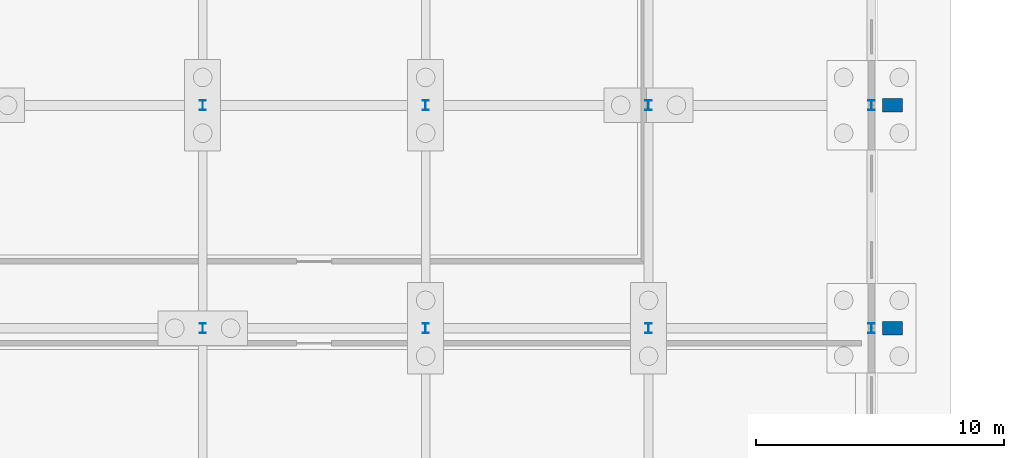
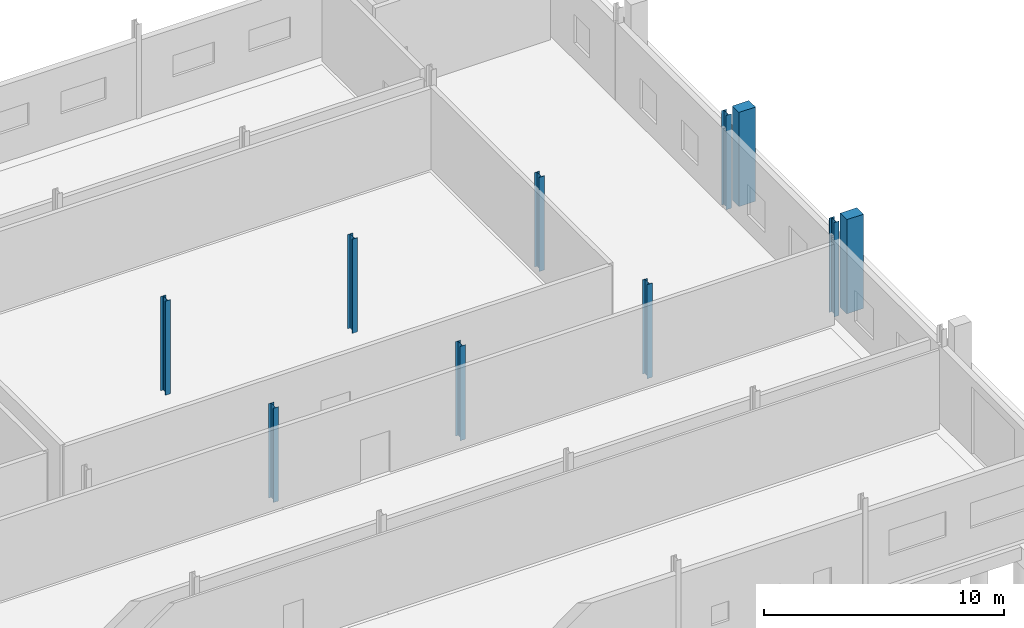
# One storey, part 44 of 112: 10 columns.
"""IFC4 building model written with IfcOpenShell, lengths in metres."""

import ifcopenshell
import ifcopenshell.guid

model = None  # the IFC model being written
_history = None  # IfcOwnerHistory: only IFC2X3 demands one
_inside = {}  # id of a spatial element -> (the spatial element, [elements in it])
_under = {}  # id of a project, library or spatial element -> (it, [spatial elements below it])
_declared = {}  # id of a project -> (the project, [libraries it declares])
_typed = {}  # id of a type object -> (the type object, [elements of that type])
_made_of = {}  # id of a material, layer set ... -> (it, [elements and type objects made of it])


def new_model(schema):
    """Start an empty IFC model of exactly this schema.

    Asked for "IFC4X3", IfcOpenShell would pick the latest addendum, in which some entities
    have other attributes; the version numbers below select the first issue.
    IFC2X3 requires an IfcOwnerHistory on every rooted entity: one is made here for all.
    """
    global model, _history
    if schema == "IFC4X3":
        model = ifcopenshell.file(schema_version=(4, 3, 0, 0))
    else:
        model = ifcopenshell.file(schema=schema)
    _inside.clear()
    _under.clear()
    _declared.clear()
    _typed.clear()
    _made_of.clear()
    _history = None
    if model.schema == "IFC2X3":
        org = make("IfcOrganization", Name="unknown")
        user = make(
            "IfcPersonAndOrganization",
            ThePerson=make("IfcPerson", FamilyName="unknown"),
            TheOrganization=org,
        )
        app = make(
            "IfcApplication",
            ApplicationDeveloper=org,
            Version="unknown",
            ApplicationFullName="unknown",
            ApplicationIdentifier="unknown",
        )
        _history = make(
            "IfcOwnerHistory",
            OwningUser=user,
            OwningApplication=app,
            ChangeAction="ADDED",
            CreationDate=0,
        )
    return model


def make(cls, **values):
    """One entity of the class cls with the attributes given. An attribute that is None is left unset."""
    return model.create_entity(
        cls, **{name: value for name, value in values.items() if value is not None}
    )


def rooted(cls, **values):
    """An entity with a GlobalId (a new one), such as an element, a storey or a relation."""
    return make(cls, GlobalId=ifcopenshell.guid.new(), OwnerHistory=_history, **values)


def si_unit(unit_type, name, prefix=None):
    """IfcSIUnit, for example si_unit("LENGTHUNIT", "METRE", prefix="MILLI")."""
    return make("IfcSIUnit", UnitType=unit_type, Prefix=prefix, Name=name)


def assignment(units):
    """IfcUnitAssignment: the units of a project."""
    return None if units is None else make("IfcUnitAssignment", Units=units)


def point(xyz):
    """IfcCartesianPoint."""
    return None if xyz is None else make("IfcCartesianPoint", Coordinates=xyz)


def direction(xyz):
    """IfcDirection."""
    return None if xyz is None else make("IfcDirection", DirectionRatios=xyz)


def frame(location, z_axis=None, x_axis=None):
    """IfcAxis2Placement3D, a coordinate frame: its origin and axes. An axis left out is left unset."""
    return make(
        "IfcAxis2Placement3D",
        Location=point(location),
        Axis=direction(z_axis),
        RefDirection=direction(x_axis),
    )


def frame_2d(location, x_axis=None):
    """IfcAxis2Placement2D, a coordinate frame in the plane: its origin and x axis."""
    return make(
        "IfcAxis2Placement2D", Location=point(location), RefDirection=direction(x_axis)
    )


def origin():
    """The frame at (0, 0, 0) with its axes left unset."""
    return frame((0.0, 0.0, 0.0))


def origin_2d():
    """The frame at (0, 0) in the plane with its x axis left unset."""
    return frame_2d((0.0, 0.0))


def place(relative_to, where):
    """IfcLocalPlacement: puts the frame where relative to a parent placement (None: the world)."""
    return make(
        "IfcLocalPlacement", PlacementRelTo=relative_to, RelativePlacement=where
    )


def context(
    kind, dimensions, precision=None, world=None, true_north=None, identifier=None
):
    """IfcGeometricRepresentationContext, for example the 3D "Model" context."""
    return make(
        "IfcGeometricRepresentationContext",
        ContextIdentifier=identifier,
        ContextType=kind,
        CoordinateSpaceDimension=dimensions,
        Precision=precision,
        WorldCoordinateSystem=world,
        TrueNorth=true_north,
    )


def subcontext(parent, identifier, kind, view, scale=None):
    """IfcGeometricRepresentationSubContext, for example "Body" below "Model"."""
    return make(
        "IfcGeometricRepresentationSubContext",
        ContextIdentifier=identifier,
        ContextType=kind,
        ParentContext=parent,
        TargetScale=scale,
        TargetView=view,
    )


def project(units=None, contexts=None):
    """IfcProject with its units and contexts."""
    return rooted(
        "IfcProject",
        Name="project",
        RepresentationContexts=contexts,
        UnitsInContext=assignment(units),
    )


def spatial(cls, under=None, at=None, **own):
    """A site, building, storey or space (cls), placed at a placement, below another one or the project."""
    s = rooted(cls, ObjectPlacement=at, **own)
    if under is not None:
        _under.setdefault(under.id(), (under, []))[1].append(s)
    return s


def profile(cls, at=None, kind="AREA", **sizes):
    """A parametric profile (cls). Its sizes go by their IFC names, for example OverallWidth=200.0."""
    return make(cls, ProfileType=kind, Position=at, **sizes)


def rectangle(**sizes):
    """IfcRectangleProfileDef."""
    return profile("IfcRectangleProfileDef", **sizes)


def i_section(**sizes):
    """IfcIShapeProfileDef."""
    return profile("IfcIShapeProfileDef", **sizes)


def extrude(swept, where, along, depth):
    """IfcExtrudedAreaSolid: the profile swept, set in the frame where, extruded along a direction by depth."""
    return make(
        "IfcExtrudedAreaSolid",
        SweptArea=swept,
        Position=where,
        ExtrudedDirection=direction(along),
        Depth=depth,
    )


def shape(context_of_items, identifier, shape_type, items):
    """IfcShapeRepresentation: the items that make up one representation, for example the "Body"."""
    return make(
        "IfcShapeRepresentation",
        ContextOfItems=context_of_items,
        RepresentationIdentifier=identifier,
        RepresentationType=shape_type,
        Items=items,
    )


def material(Name=None, Category=None):
    """IfcMaterial."""
    return make("IfcMaterial", Name=Name, Category=Category)


def material_profile(
    of_material, cross_section, Name=None, Category=None, Priority=None
):
    """IfcMaterialProfile: a cross section and its material."""
    return make(
        "IfcMaterialProfile",
        Name=Name,
        Material=of_material,
        Profile=cross_section,
        Priority=Priority,
        Category=Category,
    )


def profile_set(profiles, Name=None, composite=None):
    """IfcMaterialProfileSet."""
    return make(
        "IfcMaterialProfileSet",
        Name=Name,
        MaterialProfiles=profiles,
        CompositeProfile=composite,
    )


def made_of(thing, what):
    """Note that an element or type object is made of a material, layer set ...; save() writes the relation."""
    if what is not None:
        _made_of.setdefault(what.id(), (what, []))[1].append(thing)
    return thing


def type_object(cls, material=None, **own):
    """A type object (cls), such as IfcWallType, which elements share."""
    return made_of(rooted(cls, **own), material)


def element(
    cls,
    number,
    at=None,
    inside=None,
    cuts=None,
    type_object=None,
    material=None,
    context=None,
    identifier="Body",
    shape_type=None,
    held_by="IfcProductDefinitionShape",
    body=None,
    shapes=None,
    **own,
):
    """One element of the class cls, such as IfcWall. Its Tag is "e" and its number.

    at: its placement. inside: the storey or other place that contains it. cuts: it is an
    opening in that element (IfcRelVoidsElement). A single representation is given by context,
    identifier, shape_type and body (its items); several are given by shapes. held_by: the class
    of the entity that holds the representations. save() writes the other relations.
    """
    e = rooted(cls, Tag="e%d" % number, ObjectPlacement=at, **own)
    if body is not None:
        shapes = [shape(context, identifier, shape_type, body)]
    if shapes is not None:
        e.Representation = make(held_by, Representations=shapes)
    if inside is not None:
        _inside.setdefault(inside.id(), (inside, []))[1].append(e)
    if cuts is not None:
        rooted(
            "IfcRelVoidsElement", RelatingBuildingElement=cuts, RelatedOpeningElement=e
        )
    if type_object is not None:
        _typed.setdefault(type_object.id(), (type_object, []))[1].append(e)
    return made_of(e, material)


def aggregate(whole, parts):
    """IfcRelAggregates: a whole, such as a stair, and the parts it consists of."""
    return rooted("IfcRelAggregates", RelatingObject=whole, RelatedObjects=parts)


def save(model, path):
    """Write the relations noted so far, then the file.

    IfcRelAggregates (storeys below a building ...), IfcRelContainedInSpatialStructure (elements
    in a storey), IfcRelDefinesByType, IfcRelAssociatesMaterial and IfcRelDeclares: one each for
    every whole, place, type object, material and project.
    """
    for whole, parts in _under.values():
        aggregate(whole, parts)
    for where, things in _inside.values():
        rooted(
            "IfcRelContainedInSpatialStructure",
            RelatedElements=things,
            RelatingStructure=where,
        )
    for kind, things in _typed.values():
        rooted("IfcRelDefinesByType", RelatedObjects=things, RelatingType=kind)
    for what, things in _made_of.values():
        rooted("IfcRelAssociatesMaterial", RelatedObjects=things, RelatingMaterial=what)
    for by, libraries in _declared.values():
        rooted("IfcRelDeclares", RelatingContext=by, RelatedDefinitions=libraries)
    model.write(path)


model = new_model("IFC4")

# Units and contexts
model_context = context("Model", 3, precision=1e-05, world=origin(), true_north=direction((0.0, 1.0)))
body_context = subcontext(model_context, "Body", "Model", "MODEL_VIEW")
ifc_project = project(units=[si_unit("LENGTHUNIT", "METRE"), si_unit("AREAUNIT", "SQUARE_METRE"), si_unit("VOLUMEUNIT", "CUBIC_METRE"), si_unit("PLANEANGLEUNIT", "RADIAN"), si_unit("MASSUNIT", "GRAM", prefix="KILO")], contexts=[model_context])

# Site, building, storey
site_placement = place(None, origin())
site = spatial("IfcSite", under=ifc_project, at=site_placement, CompositionType="ELEMENT")
building_placement = place(site_placement, origin())
building = spatial("IfcBuilding", under=site, at=building_placement, Name="Tharagai Park Tramway Depot", CompositionType="ELEMENT")
storey_placement = place(building_placement, origin())
storey = spatial("IfcBuildingStorey", under=building, at=storey_placement, Name="L00", CompositionType="ELEMENT", Elevation=0.0)

# Columns
ifc_material_1 = material(Name="Steel E350", Category="steel")
ifc_material_profile_1 = material_profile(ifc_material_1, i_section(OverallWidth=0.25, OverallDepth=0.39990234375, WebThickness=0.010498046875, FlangeThickness=0.0126953125, FilletRadius=0.013916015625, at=origin_2d()), Name="ISHB 400")
ifc_profile_set_1 = profile_set([ifc_material_profile_1], Name="Steel E350")
column_type_1 = type_object("IfcColumnType", Name="CL-06", PredefinedType="COLUMN", material=ifc_profile_set_1)
for number, where, z_axis, x_axis, name in (
    (1, (189.0, 108.0, 0.0), (0.0, 0.0, 1.0), (1.0, 0.0, 0.0), "L00 Structural Column CL-06 (189,108)"),
    (2, (189.0, 117.0, 0.0), (0.0, 0.0, 1.0), (1.0, 0.0, 0.0), "L00 Structural Column CL-06 (189,117)"),
    (3, (198.0, 108.0, 0.0), (0.0, 0.0, 1.0), (1.0, 0.0, 0.0), "L00 Structural Column CL-06 (198,108)"),
    (4, (198.0, 117.0, 0.0), (0.0, 0.0, 1.0), (1.0, 0.0, 0.0), "L00 Structural Column CL-06 (198,117)"),
    (5, (207.0, 108.0, 0.0), (0.0, 0.0, 1.0), (1.0, 0.0, 0.0), "L00 Structural Column CL-06 (207,108)"),
    (6, (207.0, 117.0, 0.0), (0.0, 0.0, 1.0), (1.0, 0.0, 0.0), "L00 Structural Column CL-06 (207,117)"),
    (7, (216.0, 108.0, 0.0), (0.0, 0.0, 1.0), (1.0, 0.0, 0.0), "L00 Structural Column CL-06 (216,108)"),
    (8, (216.0, 117.0, 0.0), (0.0, 0.0, 1.0), (1.0, 0.0, 0.0), "L00 Structural Column CL-06 (216,117)"),
):
    element("IfcColumn", number, at=place(storey_placement, frame(where, z_axis=z_axis, x_axis=x_axis)), inside=storey, type_object=column_type_1, Name=name, PredefinedType="COLUMN", context=body_context, shape_type="SweptSolid", body=[
        extrude(i_section(OverallWidth=0.25, OverallDepth=0.39990234375, WebThickness=0.010498046875, FlangeThickness=0.0126953125, FilletRadius=0.013916015625, at=origin_2d()), origin(), (0.0, 0.0, 1.0), 4.800048828125),
    ])
ifc_material_2 = material(Name="Concrete M40", Category="concrete")
ifc_material_profile_2 = material_profile(ifc_material_2, rectangle(XDim=0.550048828125, YDim=0.800048828125, at=origin_2d()), Name="RC 550x800")
ifc_profile_set_2 = profile_set([ifc_material_profile_2], Name="Concrete M40")
column_type_2 = type_object("IfcColumnType", Name="PL-02", PredefinedType="PILASTER", material=ifc_profile_set_2)
for number, where, z_axis, x_axis, name in (
    (9, (216.85009765625, 108.0, 0.0), (0.0, 0.0, 1.0), (0.0, 1.0, 0.0), "L00 Stepped Gothic Buttress PL-02 E-108"),
    (10, (216.85009765625, 117.0, 0.0), (0.0, 0.0, 1.0), (0.0, 1.0, 0.0), "L00 Stepped Gothic Buttress PL-02 E-117"),
):
    element("IfcColumn", number, at=place(storey_placement, frame(where, z_axis=z_axis, x_axis=x_axis)), inside=storey, type_object=column_type_2, Name=name, PredefinedType="PILASTER", context=body_context, shape_type="SweptSolid", body=[
        extrude(rectangle(XDim=0.550048828125, YDim=0.800048828125, at=origin_2d()), origin(), (0.0, 0.0, 1.0), 4.800048828125),
    ])

save(model, "model.ifc")
